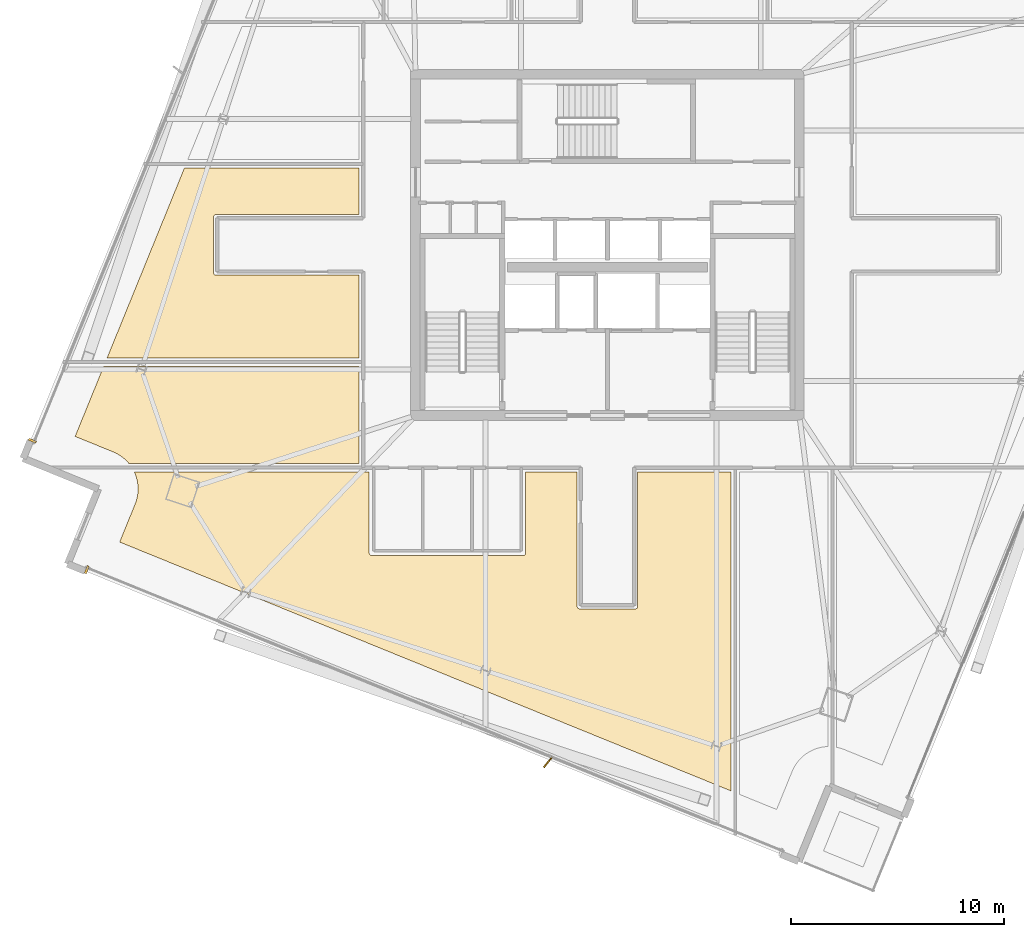
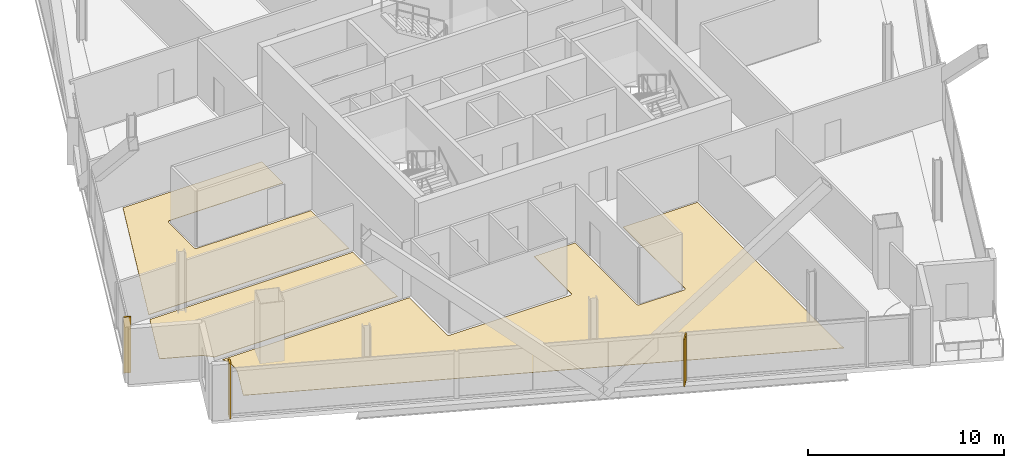
# One storey, part 27 of 31: 5 coverings, 1 shading device.
"""IFC4 building model written with IfcOpenShell, lengths in metres."""

from ifc_helpers import new_model, si_unit, direction, frame, origin, origin_2d, place, context, subcontext, project, spatial, polyline, rectangle, outline, extrude, source, transform, mapped, material, layer, layer_set, type_object, element, save


model = new_model("IFC4")

# Units and contexts
model_context = context("Model", 3, precision=1e-05, world=origin(), true_north=direction((0.0, 1.0)))
body_context = subcontext(model_context, "Body", "Model", "MODEL_VIEW")
ifc_project = project(units=[si_unit("LENGTHUNIT", "METRE"), si_unit("AREAUNIT", "SQUARE_METRE"), si_unit("VOLUMEUNIT", "CUBIC_METRE"), si_unit("PLANEANGLEUNIT", "RADIAN"), si_unit("MASSUNIT", "GRAM", prefix="KILO")], contexts=[model_context])

# Site, building, storey
site_placement = place(None, origin())
site = spatial("IfcSite", under=ifc_project, at=site_placement, CompositionType="ELEMENT")
building_placement = place(site_placement, origin())
building = spatial("IfcBuilding", under=site, at=building_placement, Name="Haldenkirk Collegiate Tower", CompositionType="ELEMENT")
storey_placement = place(building_placement, frame((0.0, 0.0, 256.199951171875)))
storey = spatial("IfcBuildingStorey", under=building, at=storey_placement, Name="L64", CompositionType="ELEMENT", Elevation=256.199951171875)

# Coverings
ifc_material_1 = material(Name="Polished collegiate terrazzo", Category="concrete")
ifc_layer_1 = layer(ifc_material_1, 0.02490234375)
ifc_layer_set_1 = layer_set([ifc_layer_1], Name="Polished collegiate terrazzo")
covering_type_1 = type_object("IfcCoveringType", Name="COV-FLOOR-TERRAZZO", PredefinedType="FLOORING", material=ifc_layer_set_1)
covering_1_placement = place(storey_placement, origin())
element("IfcCovering", 1, at=covering_1_placement, inside=storey, type_object=covering_type_1, Name="L64 academic room finish 08", PredefinedType="FLOORING", context=body_context, shape_type="SweptSolid", body=[
    extrude(outline(polyline([(13.44189453125, 15.8837890625), (13.43359375, 15.89208984375), (13.3056640625, 16.006591796875), (13.296630859375, 16.013916015625), (13.157958984375, 16.115478515625), (13.148193359375, 16.1220703125), (13.00048828125, 16.20947265625), (12.989990234375, 16.21484375), (12.834228515625, 16.287353515625), (12.828857421875, 16.289794921875), (11.041259765625, 17.017333984375), (12.37744140625, 20.300048828125), (24.35009765625, 20.300048828125), (24.35009765625, 15.75), (13.564208984375, 15.75), (13.55810546875, 15.757080078125), (13.44189453125, 15.8837890625)])), origin(), (0.0, 0.0, 1.0), 0.025146484375),
])
ifc_material_2 = material(Name="Engineered collegiate oak acoustic flooring", Category="wood")
ifc_layer_2 = layer(ifc_material_2, 0.02197265625)
ifc_layer_set_2 = layer_set([ifc_layer_2], Name="Engineered collegiate oak acoustic flooring")
covering_type_2 = type_object("IfcCoveringType", Name="COV-FLOOR-TIMBER", PredefinedType="FLOORING", material=ifc_layer_set_2)
covering_2_placement = place(storey_placement, origin())
element("IfcCovering", 2, at=covering_2_placement, inside=storey, type_object=covering_type_2, Name="L64 academic room finish 01", PredefinedType="FLOORING", context=body_context, shape_type="SweptSolid", body=[
    extrude(outline(polyline([(13.128173828125, 12.06494140625), (13.855712890625, 13.852783203125), (13.85791015625, 13.858154296875), (13.914794921875, 14.020263671875), (13.918212890625, 14.031494140625), (13.958740234375, 14.198486328125), (13.9609375, 14.2099609375), (13.985107421875, 14.3798828125), (13.986328125, 14.3916015625), (13.99365234375, 14.563232421875), (13.99365234375, 14.574951171875), (13.984130859375, 14.74658203125), (13.98291015625, 14.75830078125), (13.956787109375, 14.927978515625), (13.954345703125, 14.939453125), (13.91162109375, 15.105712890625), (13.908203125, 15.116943359375), (13.849365234375, 15.2783203125), (13.8447265625, 15.289306640625), (13.8154296875, 15.35009765625), (24.830078125, 15.35009765625), (24.830078125, 11.550048828125), (24.83056640625, 11.5380859375), (24.832275390625, 11.526611328125), (24.835205078125, 11.51513671875), (24.839111328125, 11.504150390625), (24.84423828125, 11.493408203125), (24.85009765625, 11.4833984375), (24.857177734375, 11.473876953125), (24.864990234375, 11.465087890625), (24.873779296875, 11.457275390625), (24.88330078125, 11.4501953125), (24.893310546875, 11.444091796875), (24.904052734375, 11.439208984375), (24.915283203125, 11.435302734375), (24.926513671875, 11.432373046875), (24.938232421875, 11.4306640625), (24.949951171875, 11.429931640625), (32.050048828125, 11.429931640625), (32.061767578125, 11.4306640625), (32.073486328125, 11.432373046875), (32.084716796875, 11.435302734375), (32.095947265625, 11.439208984375), (32.106689453125, 11.444091796875), (32.11669921875, 11.4501953125), (32.126220703125, 11.457275390625), (32.135009765625, 11.465087890625), (32.142822265625, 11.473876953125), (32.14990234375, 11.4833984375), (32.15576171875, 11.493408203125), (32.160888671875, 11.504150390625), (32.164794921875, 11.51513671875), (32.167724609375, 11.526611328125), (32.16943359375, 11.5380859375), (32.169921875, 11.550048828125), (32.169921875, 15.35009765625), (34.580078125, 15.35009765625), (34.580078125, 9.050048828125), (34.58056640625, 9.0380859375), (34.582275390625, 9.026611328125), (34.585205078125, 9.01513671875), (34.589111328125, 9.004150390625), (34.59423828125, 8.993408203125), (34.60009765625, 8.9833984375), (34.607177734375, 8.973876953125), (34.614990234375, 8.965087890625), (34.623779296875, 8.957275390625), (34.63330078125, 8.9501953125), (34.643310546875, 8.944091796875), (34.654052734375, 8.939208984375), (34.665283203125, 8.935302734375), (34.676513671875, 8.932373046875), (34.688232421875, 8.9306640625), (34.699951171875, 8.929931640625), (37.300048828125, 8.929931640625), (37.311767578125, 8.9306640625), (37.323486328125, 8.932373046875), (37.334716796875, 8.935302734375), (37.345947265625, 8.939208984375), (37.356689453125, 8.944091796875), (37.36669921875, 8.9501953125), (37.376220703125, 8.957275390625), (37.385009765625, 8.965087890625), (37.392822265625, 8.973876953125), (37.39990234375, 8.9833984375), (37.40576171875, 8.993408203125), (37.410888671875, 9.004150390625), (37.414794921875, 9.01513671875), (37.417724609375, 9.026611328125), (37.41943359375, 9.0380859375), (37.419921875, 9.050048828125), (37.419921875, 15.35009765625), (41.800048828125, 15.35009765625), (41.800048828125, 0.3935546875), (13.128173828125, 12.06494140625)])), origin(), (0.0, 0.0, 1.0), 0.02197265625),
])
covering_3_placement = place(storey_placement, origin())
element("IfcCovering", 3, at=covering_3_placement, inside=storey, type_object=covering_type_2, Name="L64 academic room finish 09", PredefinedType="FLOORING", context=body_context, shape_type="SweptSolid", body=[
    extrude(outline(polyline([(16.163330078125, 29.60009765625), (24.35009765625, 29.60009765625), (24.35009765625, 27.419921875), (17.64990234375, 27.419921875), (17.63818359375, 27.41943359375), (17.626708984375, 27.417724609375), (17.615234375, 27.414794921875), (17.60400390625, 27.410888671875), (17.593505859375, 27.40576171875), (17.583251953125, 27.39990234375), (17.573974609375, 27.392822265625), (17.565185546875, 27.385009765625), (17.55712890625, 27.376220703125), (17.55029296875, 27.36669921875), (17.544189453125, 27.356689453125), (17.5390625, 27.345947265625), (17.53515625, 27.334716796875), (17.5322265625, 27.323486328125), (17.530517578125, 27.311767578125), (17.530029296875, 27.300048828125), (17.530029296875, 24.699951171875), (17.530517578125, 24.688232421875), (17.5322265625, 24.676513671875), (17.53515625, 24.665283203125), (17.5390625, 24.654052734375), (17.544189453125, 24.643310546875), (17.55029296875, 24.63330078125), (17.55712890625, 24.623779296875), (17.565185546875, 24.614990234375), (17.573974609375, 24.607177734375), (17.583251953125, 24.60009765625), (17.593505859375, 24.59423828125), (17.60400390625, 24.589111328125), (17.615234375, 24.585205078125), (17.626708984375, 24.582275390625), (17.63818359375, 24.58056640625), (17.64990234375, 24.580078125), (24.35009765625, 24.580078125), (24.35009765625, 20.699951171875), (12.540283203125, 20.699951171875), (16.163330078125, 29.60009765625)])), origin(), (0.0, 0.0, 1.0), 0.02197265625),
])
ifc_material_3 = material(Name="Anodised architectural bronze aluminium", Category="aluminium")
ifc_layer_3 = layer(ifc_material_3, 0.06005859375)
ifc_layer_set_3 = layer_set([ifc_layer_3], Name="Anodised architectural bronze aluminium")
covering_type_3 = type_object("IfcCoveringType", Name="COV-CLAD-BRONZE-60", PredefinedType="CLADDING", material=ifc_layer_set_3)
shared_shape_1 = source(origin(), body_context, "Body", "SweptSolid", [
    extrude(rectangle(XDim=0.10009765625, YDim=0.3798828125, at=origin_2d()), origin(), (0.0, 0.0, 1.0), 3.47998046875),
])
for number, where, z_axis, x_axis, name in (
    (4, (9.0380859375, 16.81787109375, 0.0), (0.0, 0.0, 1.0), (0.377032668542, 0.926199960512, 0.0), "L64 recessed curtain-wall bronze jamb closure NJL"),
    (5, (11.58642578125, 10.770751953125, 0.0), (0.0, 0.0, 1.0), (-0.926199960512, 0.377032668542, 0.0), "L64 recessed curtain-wall bronze jamb closure WJR"),
):
    element("IfcCovering", number, at=place(storey_placement, frame(where, z_axis=z_axis, x_axis=x_axis)), inside=storey, type_object=covering_type_3, Name=name, PredefinedType="CLADDING", context=body_context, shape_type="MappedRepresentation", body=[
        mapped(shared_shape_1, transform((0.0, 0.0, 0.0), x_axis=(1.0, 0.0, 0.0), y_axis=(0.0, 1.0, 0.0), z_axis=(0.0, 0.0, 1.0), scale=1.0)),
    ])

# Shading device
ifc_layer_4 = layer(ifc_material_3, 0.06494140625)
ifc_layer_set_4 = layer_set([ifc_layer_4], Name="Anodised architectural bronze aluminium")
shading_device_type = type_object("IfcShadingDeviceType", Name="SHD-FIN-BRONZE-620", PredefinedType="USERDEFINED", material=ifc_layer_set_4)
shared_shape_2 = source(origin(), body_context, "Body", "SweptSolid", [
    extrude(rectangle(XDim=0.6201171875, YDim=0.06494140625, at=origin_2d()), origin(), (0.0, 0.0, 1.0), 2.93798828125),
])
shading_device_placement = place(storey_placement, frame((33.21630859375, 1.744384765625, 0.0), z_axis=(0.0, 0.0, 1.0), x_axis=(-0.61772237046, -0.786396257006, 0.0)))
element("IfcShadingDevice", 6, at=shading_device_placement, inside=storey, type_object=shading_device_type, Name="L64 folded bronze solar fin 1", ObjectType="FIN", PredefinedType="USERDEFINED", context=body_context, shape_type="MappedRepresentation", body=[
    mapped(shared_shape_2, transform((0.0, 0.0, 0.0), x_axis=(1.0, 0.0, 0.0), y_axis=(0.0, 1.0, 0.0), z_axis=(0.0, 0.0, 1.0), scale=1.0)),
])

save(model, "model.ifc")
